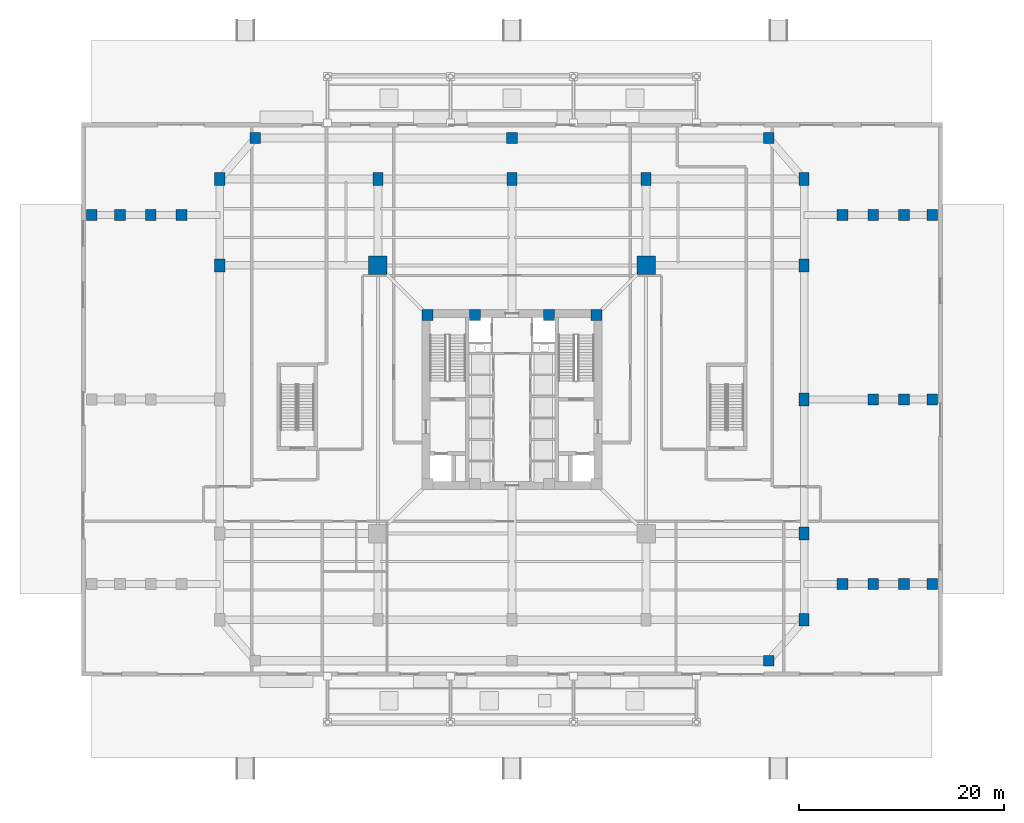
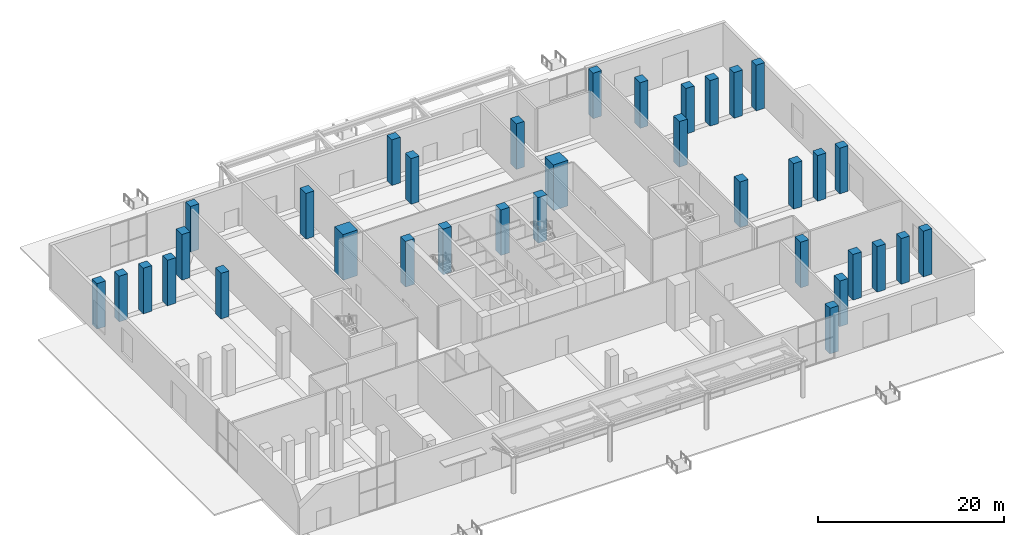
# One storey, part 2 of 25: 35 columns.
"""IFC4 building model written with IfcOpenShell, lengths in metres."""

from ifc_helpers import new_model, si_unit, direction, frame, origin, origin_2d, place, context, subcontext, project, spatial, rectangle, extrude, source, transform, mapped, material, material_profile, profile_set, type_object, element, save


model = new_model("IFC4")

# Units and contexts
model_context = context("Model", 3, precision=1e-05, world=origin(), true_north=direction((0.0, 1.0)))
body_context = subcontext(model_context, "Body", "Model", "MODEL_VIEW")
ifc_project = project(units=[si_unit("LENGTHUNIT", "METRE"), si_unit("AREAUNIT", "SQUARE_METRE"), si_unit("VOLUMEUNIT", "CUBIC_METRE"), si_unit("PLANEANGLEUNIT", "RADIAN"), si_unit("MASSUNIT", "GRAM", prefix="KILO"), si_unit("THERMODYNAMICTEMPERATUREUNIT", "KELVIN")], contexts=[model_context])

# Site, building, storey
site_placement = place(None, origin())
site = spatial("IfcSite", under=ifc_project, at=site_placement, CompositionType="ELEMENT")
building_placement = place(site_placement, origin())
building = spatial("IfcBuilding", under=site, at=building_placement, Name="Kosmvard Interchange Tower", CompositionType="ELEMENT")
storey_placement = place(building_placement, origin())
storey = spatial("IfcBuildingStorey", under=building, at=storey_placement, Name="L00", CompositionType="ELEMENT", Elevation=0.0)

# Columns
ifc_material_1 = material(Name="Concrete C80/95", Category="concrete")
ifc_material_profile_1 = material_profile(ifc_material_1, rectangle(XDim=1.10009765625, YDim=1.10009765625, at=origin_2d()), Name="CP 1100x1100")
ifc_profile_set_1 = profile_set([ifc_material_profile_1], Name="Concrete C80/95")
column_type_1 = type_object("IfcColumnType", Name="Core Boundary Pilaster 1100x1100 C80/95", PredefinedType="PILASTER", material=ifc_profile_set_1)
shared_shape_1 = source(origin(), body_context, "Body", "SweptSolid", [
    extrude(rectangle(XDim=1.10009765625, YDim=1.10009765625, at=origin_2d()), origin(), (0.0, 0.0, 1.0), 6.0),
])
for number, where, z_axis, x_axis, name in (
    (1, (8.25, 8.25, 0.0), (0.0, 0.0, 1.0), (1.0, 0.0, 0.0), "L00 Core Pilaster CP3"),
    (2, (-8.25, 8.25, 0.0), (0.0, 0.0, 1.0), (1.0, 0.0, 0.0), "L00 Core Pilaster CP4"),
    (3, (-3.60009765625, 8.25, 0.0), (0.0, 0.0, 1.0), (1.0, 0.0, 0.0), "L00 Core Pilaster CP7"),
    (4, (3.60009765625, 8.25, 0.0), (0.0, 0.0, 1.0), (1.0, 0.0, 0.0), "L00 Core Pilaster CP8"),
):
    element("IfcColumn", number, at=place(storey_placement, frame(where, z_axis=z_axis, x_axis=x_axis)), inside=storey, type_object=column_type_1, Name=name, PredefinedType="PILASTER", context=body_context, shape_type="MappedRepresentation", body=[
        mapped(shared_shape_1, transform((0.0, 0.0, 0.0), scale=1.0)),
    ])
ifc_material_profile_2 = material_profile(ifc_material_1, rectangle(XDim=1.800048828125, YDim=1.800048828125, at=origin_2d()), Name="MC 1800x1800")
ifc_profile_set_2 = profile_set([ifc_material_profile_2], Name="Concrete C80/95")
column_type_2 = type_object("IfcColumnType", Name="Composite Mega-Column 1800x1800 C80/95", PredefinedType="COLUMN", material=ifc_profile_set_2)
shared_shape_2 = source(origin(), body_context, "Body", "SweptSolid", [
    extrude(rectangle(XDim=1.800048828125, YDim=1.800048828125, at=origin_2d()), origin(), (0.0, 0.0, 1.0), 6.0),
])
for number, where, z_axis, x_axis, name in (
    (5, (13.0810546875, 13.0810546875, 0.0), (0.0, 0.0, 1.0), (1.0, 0.0, 0.0), "L00 Corner Mega-Column MC3"),
    (6, (-13.0810546875, 13.0810546875, 0.0), (0.0, 0.0, 1.0), (1.0, 0.0, 0.0), "L00 Corner Mega-Column MC4"),
):
    element("IfcColumn", number, at=place(storey_placement, frame(where, z_axis=z_axis, x_axis=x_axis)), inside=storey, type_object=column_type_2, Name=name, PredefinedType="COLUMN", context=body_context, shape_type="MappedRepresentation", body=[
        mapped(shared_shape_2, transform((0.0, 0.0, 0.0), scale=1.0)),
    ])
ifc_material_2 = material(Name="Concrete C60/75", Category="concrete")
ifc_material_profile_3 = material_profile(ifc_material_2, rectangle(XDim=1.0, YDim=1.25, at=origin_2d()), Name="PC 1250x1000")
ifc_profile_set_3 = profile_set([ifc_material_profile_3], Name="Concrete C60/75")
column_type_3 = type_object("IfcColumnType", Name="Podium Concourse Column 1250x1000 C60/75", PredefinedType="COLUMN", material=ifc_profile_set_3)
shared_shape_3 = source(origin(), body_context, "Body", "SweptSolid", [
    extrude(rectangle(XDim=1.0, YDim=1.25, at=origin_2d()), origin(), (0.0, 0.0, 1.0), 6.0),
])
for number, where, z_axis, x_axis, name in (
    (7, (28.5, -21.5, 0.0), (0.0, 0.0, 1.0), (1.0, 0.0, 0.0), "L00 Podium Column PC-S5"),
    (8, (-28.5, 21.5, 0.0), (0.0, 0.0, 1.0), (1.0, 0.0, 0.0), "L00 Podium Column PC-N1"),
    (9, (-13.0810546875, 21.5, 0.0), (0.0, 0.0, 1.0), (1.0, 0.0, 0.0), "L00 Podium Column PC-N2"),
    (10, (0.0, 21.5, 0.0), (0.0, 0.0, 1.0), (1.0, 0.0, 0.0), "L00 Podium Column PC-N3"),
    (11, (13.0810546875, 21.5, 0.0), (0.0, 0.0, 1.0), (1.0, 0.0, 0.0), "L00 Podium Column PC-N4"),
    (12, (28.5, 21.5, 0.0), (0.0, 0.0, 1.0), (1.0, 0.0, 0.0), "L00 Podium Column PC-N5"),
    (13, (-28.5, 13.0810546875, 0.0), (0.0, 0.0, 1.0), (1.0, 0.0, 0.0), "L00 Podium Column PC-W3"),
    (14, (28.5, -13.0810546875, 0.0), (0.0, 0.0, 1.0), (1.0, 0.0, 0.0), "L00 Podium Column PC-E1"),
    (15, (28.5, 0.0, 0.0), (0.0, 0.0, 1.0), (1.0, 0.0, 0.0), "L00 Podium Column PC-E2"),
    (16, (28.5, 13.0810546875, 0.0), (0.0, 0.0, 1.0), (1.0, 0.0, 0.0), "L00 Podium Column PC-E3"),
):
    element("IfcColumn", number, at=place(storey_placement, frame(where, z_axis=z_axis, x_axis=x_axis)), inside=storey, type_object=column_type_3, Name=name, PredefinedType="COLUMN", context=body_context, shape_type="MappedRepresentation", body=[
        mapped(shared_shape_3, transform((0.0, 0.0, 0.0), scale=1.0)),
    ])
ifc_material_profile_4 = material_profile(ifc_material_2, rectangle(XDim=1.050048828125, YDim=1.050048828125, at=origin_2d()), Name="PC 1050x1050")
ifc_profile_set_4 = profile_set([ifc_material_profile_4], Name="Concrete C60/75")
column_type_4 = type_object("IfcColumnType", Name="Podium Perimeter Column 1050x1050 C60/75", PredefinedType="COLUMN", material=ifc_profile_set_4)
shared_shape_4 = source(origin(), body_context, "Body", "SweptSolid", [
    extrude(rectangle(XDim=1.050048828125, YDim=1.050048828125, at=origin_2d()), origin(), (0.0, 0.0, 1.0), 6.0),
])
for number, where, z_axis, x_axis, name in (
    (17, (25.050048828125, -25.5, 0.0), (0.0, 0.0, 1.0), (1.0, 0.0, 0.0), "L00 Podium Column PC-TS3"),
    (18, (-25.050048828125, 25.5, 0.0), (0.0, 0.0, 1.0), (1.0, 0.0, 0.0), "L00 Podium Column PC-TN1"),
    (19, (0.0, 25.5, 0.0), (0.0, 0.0, 1.0), (1.0, 0.0, 0.0), "L00 Podium Column PC-TN2"),
    (20, (25.050048828125, 25.5, 0.0), (0.0, 0.0, 1.0), (1.0, 0.0, 0.0), "L00 Podium Column PC-TN3"),
    (21, (-32.25, 18.0, 0.0), (0.0, 0.0, 1.0), (1.0, 0.0, 0.0), "L00 Podium Column PC-TW4"),
    (22, (32.25, -18.0, 0.0), (0.0, 0.0, 1.0), (1.0, 0.0, 0.0), "L00 Podium Column PC-TE3"),
    (23, (32.25, 18.0, 0.0), (0.0, 0.0, 1.0), (1.0, 0.0, 0.0), "L00 Podium Column PC-TE4"),
    (24, (-35.25, 18.0, 0.0), (0.0, 0.0, 1.0), (1.0, 0.0, 0.0), "L00 Podium Column PC-TW6"),
    (25, (35.25, -18.0, 0.0), (0.0, 0.0, 1.0), (1.0, 0.0, 0.0), "L00 Podium Column PC-TE2"),
    (26, (35.25, 0.0, 0.0), (0.0, 0.0, 1.0), (1.0, 0.0, 0.0), "L00 Podium Column PC-TE5"),
    (27, (35.25, 18.0, 0.0), (0.0, 0.0, 1.0), (1.0, 0.0, 0.0), "L00 Podium Column PC-TE6"),
    (28, (-38.25, 18.0, 0.0), (0.0, 0.0, 1.0), (1.0, 0.0, 0.0), "L00 Podium Column PC-TW8"),
    (29, (38.25, -18.0, 0.0), (0.0, 0.0, 1.0), (1.0, 0.0, 0.0), "L00 Podium Column PC-TE1"),
    (30, (38.25, 0.0, 0.0), (0.0, 0.0, 1.0), (1.0, 0.0, 0.0), "L00 Podium Column PC-TE7"),
    (31, (38.25, 18.0, 0.0), (0.0, 0.0, 1.0), (1.0, 0.0, 0.0), "L00 Podium Column PC-TE8"),
    (32, (-41.0, 18.0, 0.0), (0.0, 0.0, 1.0), (1.0, 0.0, 0.0), "L00 Podium Column PC-BW3"),
    (33, (41.0, -18.0, 0.0), (0.0, 0.0, 1.0), (1.0, 0.0, 0.0), "L00 Podium Column PC-BE1"),
    (34, (41.0, 0.0, 0.0), (0.0, 0.0, 1.0), (1.0, 0.0, 0.0), "L00 Podium Column PC-BE2"),
    (35, (41.0, 18.0, 0.0), (0.0, 0.0, 1.0), (1.0, 0.0, 0.0), "L00 Podium Column PC-BE3"),
):
    element("IfcColumn", number, at=place(storey_placement, frame(where, z_axis=z_axis, x_axis=x_axis)), inside=storey, type_object=column_type_4, Name=name, PredefinedType="COLUMN", context=body_context, shape_type="MappedRepresentation", body=[
        mapped(shared_shape_4, transform((0.0, 0.0, 0.0), scale=1.0)),
    ])

save(model, "model.ifc")
